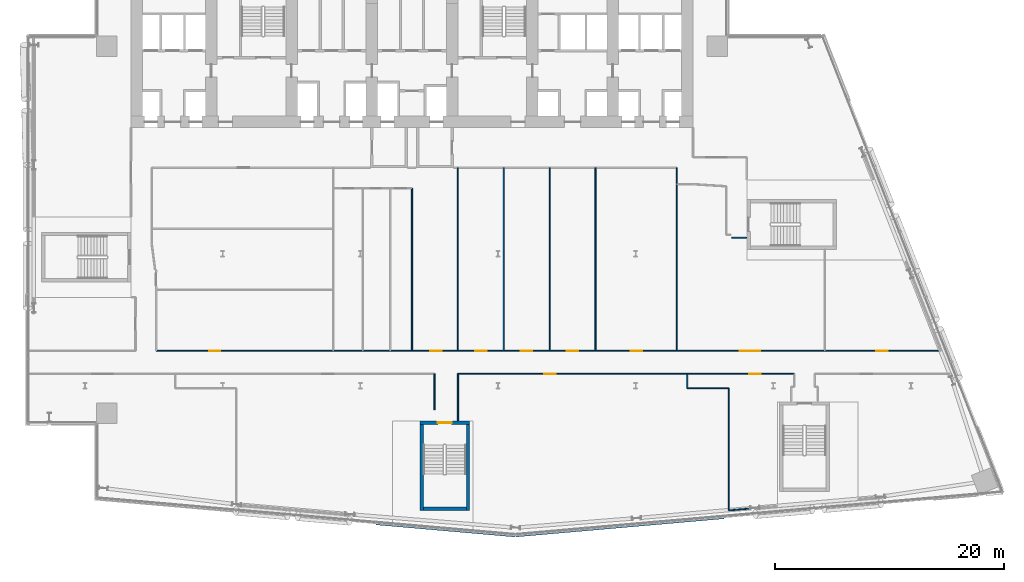
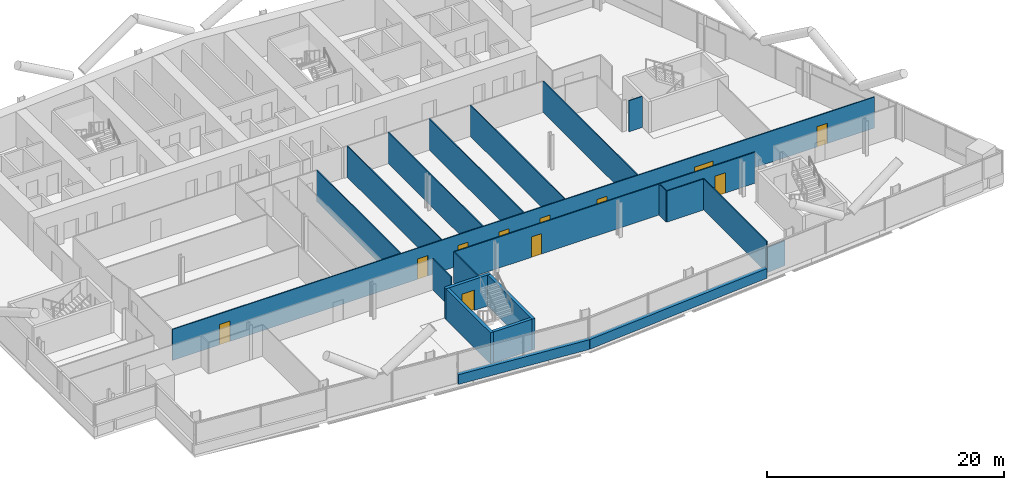
# One storey, part 15 of 27: 21 walls, 11 doors, 11 openings.
"""IFC4 building model written with IfcOpenShell, lengths in metres."""

from ifc_helpers import new_model, si_unit, direction, frame, frame_2d, origin, place, context, subcontext, project, spatial, rectangle, extrude, material, layer, layer_set, type_object, element, fill, save


model = new_model("IFC4")

# Units and contexts
model_context = context("Model", 3, precision=1e-05, world=origin(), true_north=direction((0.0, 1.0)))
body_context = subcontext(model_context, "Body", "Model", "MODEL_VIEW")
ifc_project = project(units=[si_unit("LENGTHUNIT", "METRE"), si_unit("AREAUNIT", "SQUARE_METRE"), si_unit("VOLUMEUNIT", "CUBIC_METRE"), si_unit("PLANEANGLEUNIT", "RADIAN"), si_unit("MASSUNIT", "GRAM", prefix="KILO")], contexts=[model_context])

# Site, building, storey
site_placement = place(None, origin())
site = spatial("IfcSite", under=ifc_project, at=site_placement, CompositionType="ELEMENT")
building_placement = place(site_placement, origin())
building = spatial("IfcBuilding", under=site, at=building_placement, Name="Wharfspan Tower", CompositionType="ELEMENT")
storey_placement = place(building_placement, frame((0.0, 0.0, 139.899902)))
storey = spatial("IfcBuildingStorey", under=building, at=storey_placement, Name="L33", CompositionType="ELEMENT", Elevation=139.899902)

# Wall, openings, doors
ifc_material_1 = material(Name="Gypsum board on steel studs", Category="steel")
ifc_layer_1 = layer(ifc_material_1, 0.100098)
ifc_layer_set_1 = layer_set([ifc_layer_1], Name="Gypsum board on steel studs")
wall_type_1 = type_object("IfcWallType", Name="Compartment wall 100 EI 60", PredefinedType="PARTITIONING", material=ifc_layer_set_1)
wall_1_placement = place(storey_placement, frame((18.199951, 14.530029, 0.0), z_axis=(0.0, 0.0, 1.0), x_axis=(1.0, 0.0, 0.0)))
wall_1 = element("IfcWall", 1, at=wall_1_placement, inside=storey, type_object=wall_type_1, Name="Partition L33.w013", PredefinedType="PARTITIONING", context=body_context, shape_type="SweptSolid", body=[
    extrude(rectangle(XDim=68.410156, YDim=0.100098, at=frame_2d((34.205078, 0.0))), origin(), (0.0, 0.0, 1.0), 3.200195),
])
opening_1_placement = place(wall_1_placement, frame((4.60498, 0.0, 0.0)))
opening_1 = element("IfcOpeningElement", 2, at=opening_1_placement, cuts=wall_1, Name="Opening B6-06", PredefinedType="OPENING", context=body_context, shape_type="SweptSolid", body=[
    extrude(rectangle(XDim=1.0, YDim=2.100098, at=frame_2d((0.5, 1.050049))), frame((0.0, 0.060059, 0.0), z_axis=(0.0, -1.0, 0.0), x_axis=(1.0, 0.0, 0.0)), (0.0, 0.0, 1.0), 0.120117),
])
opening_2_placement = place(wall_1_placement, frame((23.879883, 0.0, 0.0)))
opening_2 = element("IfcOpeningElement", 3, at=opening_2_placement, cuts=wall_1, Name="Opening B6-07", PredefinedType="OPENING", context=body_context, shape_type="SweptSolid", body=[
    extrude(rectangle(XDim=1.0, YDim=2.100098, at=frame_2d((0.5, 1.050049))), frame((0.0, 0.060059, 0.0), z_axis=(0.0, -1.0, 0.0), x_axis=(1.0, 0.0, 0.0)), (0.0, 0.0, 1.0), 0.120117),
])
opening_3_placement = place(wall_1_placement, frame((27.800049, 0.0, 0.0)))
opening_3 = element("IfcOpeningElement", 4, at=opening_3_placement, cuts=wall_1, Name="Opening B6-08", PredefinedType="OPENING", context=body_context, shape_type="SweptSolid", body=[
    extrude(rectangle(XDim=1.0, YDim=2.100098, at=frame_2d((0.5, 1.050049))), frame((0.0, 0.060059, 0.0), z_axis=(0.0, -1.0, 0.0), x_axis=(1.0, 0.0, 0.0)), (0.0, 0.0, 1.0), 0.120117),
])
opening_4_placement = place(wall_1_placement, frame((31.800049, 0.0, 0.0)))
opening_4 = element("IfcOpeningElement", 5, at=opening_4_placement, cuts=wall_1, Name="Opening B6-09", PredefinedType="OPENING", context=body_context, shape_type="SweptSolid", body=[
    extrude(rectangle(XDim=1.0, YDim=2.100098, at=frame_2d((0.5, 1.050049))), frame((0.0, 0.060059, 0.0), z_axis=(0.0, -1.0, 0.0), x_axis=(1.0, 0.0, 0.0)), (0.0, 0.0, 1.0), 0.120117),
])
opening_5_placement = place(wall_1_placement, frame((35.800049, 0.0, 0.0)))
opening_5 = element("IfcOpeningElement", 6, at=opening_5_placement, cuts=wall_1, Name="Opening B6-10", PredefinedType="OPENING", context=body_context, shape_type="SweptSolid", body=[
    extrude(rectangle(XDim=1.0, YDim=2.100098, at=frame_2d((0.5, 1.050049))), frame((0.0, 0.060059, 0.0), z_axis=(0.0, -1.0, 0.0), x_axis=(1.0, 0.0, 0.0)), (0.0, 0.0, 1.0), 0.120117),
])
opening_6_placement = place(wall_1_placement, frame((41.35498, 0.0, 0.0)))
opening_6 = element("IfcOpeningElement", 7, at=opening_6_placement, cuts=wall_1, Name="Opening B6-11", PredefinedType="OPENING", context=body_context, shape_type="SweptSolid", body=[
    extrude(rectangle(XDim=1.0, YDim=2.100098, at=frame_2d((0.5, 1.050049))), frame((0.0, 0.060059, 0.0), z_axis=(0.0, -1.0, 0.0), x_axis=(1.0, 0.0, 0.0)), (0.0, 0.0, 1.0), 0.120117),
])
opening_7_placement = place(wall_1_placement, frame((50.879883, 0.0, 0.0)))
opening_7 = element("IfcOpeningElement", 8, at=opening_7_placement, cuts=wall_1, Name="Opening B6-12", PredefinedType="OPENING", context=body_context, shape_type="SweptSolid", body=[
    extrude(rectangle(XDim=1.800049, YDim=2.100098, at=frame_2d((0.899902, 1.050049))), frame((0.0, 0.060059, 0.0), z_axis=(0.0, -1.0, 0.0), x_axis=(1.0, 0.0, 0.0)), (0.0, 0.0, 1.0), 0.120117),
])
opening_8_placement = place(wall_1_placement, frame((62.795898, 0.0, 0.0)))
opening_8 = element("IfcOpeningElement", 9, at=opening_8_placement, cuts=wall_1, Name="Opening B6-13", PredefinedType="OPENING", context=body_context, shape_type="SweptSolid", body=[
    extrude(rectangle(XDim=1.0, YDim=2.100098, at=frame_2d((0.5, 1.050049))), frame((0.0, 0.060059, 0.0), z_axis=(0.0, -1.0, 0.0), x_axis=(1.0, 0.0, 0.0)), (0.0, 0.0, 1.0), 0.120117),
])
ifc_material_2 = material(Name="Fire-rated timber door leaf in steel frame", Category="steel")
door_type_1 = type_object("IfcDoorType", Name="Door 1000 FD30S Left", OperationType="SINGLE_SWING_LEFT", PredefinedType="DOOR", material=ifc_material_2)
door_1_placement = place(opening_1_placement, origin())
door_1 = element("IfcDoor", 10, at=door_1_placement, inside=storey, type_object=door_type_1, Name="Door B6-06", OperationType="SINGLE_SWING_LEFT", OverallHeight=2.100098, OverallWidth=1.0, PredefinedType="DOOR", context=body_context, shape_type="SweptSolid", body=[
    extrude(rectangle(XDim=1.0, YDim=2.100098, at=frame_2d((0.5, 1.050049))), frame((0.0, 0.024902, 0.0), z_axis=(0.0, -1.0, 0.0), x_axis=(1.0, 0.0, 0.0)), (0.0, 0.0, 1.0), 0.050049),
])
fill(opening_1, door_1)
door_2_placement = place(opening_2_placement, origin())
door_2 = element("IfcDoor", 11, at=door_2_placement, inside=storey, type_object=door_type_1, Name="Door B6-07", OperationType="SINGLE_SWING_LEFT", OverallHeight=2.100098, OverallWidth=1.0, PredefinedType="DOOR", context=body_context, shape_type="SweptSolid", body=[
    extrude(rectangle(XDim=1.0, YDim=2.100098, at=frame_2d((0.5, 1.050049))), frame((0.0, 0.024902, 0.0), z_axis=(0.0, -1.0, 0.0), x_axis=(1.0, 0.0, 0.0)), (0.0, 0.0, 1.0), 0.050049),
])
fill(opening_2, door_2)
door_3_placement = place(opening_3_placement, origin())
door_3 = element("IfcDoor", 12, at=door_3_placement, inside=storey, type_object=door_type_1, Name="Door B6-08", OperationType="SINGLE_SWING_LEFT", OverallHeight=2.100098, OverallWidth=1.0, PredefinedType="DOOR", context=body_context, shape_type="SweptSolid", body=[
    extrude(rectangle(XDim=1.0, YDim=2.100098, at=frame_2d((0.5, 1.050049))), frame((0.0, 0.024902, 0.0), z_axis=(0.0, -1.0, 0.0), x_axis=(1.0, 0.0, 0.0)), (0.0, 0.0, 1.0), 0.050049),
])
fill(opening_3, door_3)
door_4_placement = place(opening_4_placement, origin())
door_4 = element("IfcDoor", 13, at=door_4_placement, inside=storey, type_object=door_type_1, Name="Door B6-09", OperationType="SINGLE_SWING_LEFT", OverallHeight=2.100098, OverallWidth=1.0, PredefinedType="DOOR", context=body_context, shape_type="SweptSolid", body=[
    extrude(rectangle(XDim=1.0, YDim=2.100098, at=frame_2d((0.5, 1.050049))), frame((0.0, 0.024902, 0.0), z_axis=(0.0, -1.0, 0.0), x_axis=(1.0, 0.0, 0.0)), (0.0, 0.0, 1.0), 0.050049),
])
fill(opening_4, door_4)
door_type_2 = type_object("IfcDoorType", Name="Door 1000 FD30S Right", OperationType="SINGLE_SWING_RIGHT", PredefinedType="DOOR", material=ifc_material_2)
door_5_placement = place(opening_5_placement, origin())
door_5 = element("IfcDoor", 14, at=door_5_placement, inside=storey, type_object=door_type_2, Name="Door B6-10", OperationType="SINGLE_SWING_RIGHT", OverallHeight=2.100098, OverallWidth=1.0, PredefinedType="DOOR", context=body_context, shape_type="SweptSolid", body=[
    extrude(rectangle(XDim=1.0, YDim=2.100098, at=frame_2d((0.5, 1.050049))), frame((0.0, 0.024902, 0.0), z_axis=(0.0, -1.0, 0.0), x_axis=(1.0, 0.0, 0.0)), (0.0, 0.0, 1.0), 0.050049),
])
fill(opening_5, door_5)
door_6_placement = place(opening_6_placement, origin())
door_6 = element("IfcDoor", 15, at=door_6_placement, inside=storey, type_object=door_type_2, Name="Door B6-11", OperationType="SINGLE_SWING_RIGHT", OverallHeight=2.100098, OverallWidth=1.0, PredefinedType="DOOR", context=body_context, shape_type="SweptSolid", body=[
    extrude(rectangle(XDim=1.0, YDim=2.100098, at=frame_2d((0.5, 1.050049))), frame((0.0, 0.024902, 0.0), z_axis=(0.0, -1.0, 0.0), x_axis=(1.0, 0.0, 0.0)), (0.0, 0.0, 1.0), 0.050049),
])
fill(opening_6, door_6)
door_7_placement = place(opening_8_placement, origin())
door_7 = element("IfcDoor", 16, at=door_7_placement, inside=storey, type_object=door_type_2, Name="Door B6-13", OperationType="SINGLE_SWING_RIGHT", OverallHeight=2.100098, OverallWidth=1.0, PredefinedType="DOOR", context=body_context, shape_type="SweptSolid", body=[
    extrude(rectangle(XDim=1.0, YDim=2.100098, at=frame_2d((0.5, 1.050049))), frame((0.0, 0.024902, 0.0), z_axis=(0.0, -1.0, 0.0), x_axis=(1.0, 0.0, 0.0)), (0.0, 0.0, 1.0), 0.050049),
])
fill(opening_8, door_7)
door_type_3 = type_object("IfcDoorType", Name="Door 1800 FD30S Double", OperationType="DOUBLE_DOOR_SINGLE_SWING", PredefinedType="DOOR", material=ifc_material_2)
door_8_placement = place(opening_7_placement, origin())
door_8 = element("IfcDoor", 17, at=door_8_placement, inside=storey, type_object=door_type_3, Name="Door B6-12", OperationType="DOUBLE_DOOR_SINGLE_SWING", OverallHeight=2.100098, OverallWidth=1.800049, PredefinedType="DOOR", context=body_context, shape_type="SweptSolid", body=[
    extrude(rectangle(XDim=1.800049, YDim=2.100098, at=frame_2d((0.899902, 1.050049))), frame((0.0, 0.024902, 0.0), z_axis=(0.0, -1.0, 0.0), x_axis=(1.0, 0.0, 0.0)), (0.0, 0.0, 1.0), 0.050049),
])
fill(opening_7, door_8)

# Walls
wall_2_placement = place(storey_placement, frame((40.5, 14.530029, 0.0), z_axis=(0.0, 0.0, 1.0), x_axis=(0.0, 1.0, 0.0)))
element("IfcWall", 18, at=wall_2_placement, inside=storey, type_object=wall_type_1, Name="Partition L33.w025", PredefinedType="PARTITIONING", context=body_context, shape_type="SweptSolid", body=[
    extrude(rectangle(XDim=14.169922, YDim=0.100098, at=frame_2d((7.084961, 0.0))), origin(), (0.0, 0.0, 1.0), 3.200195),
])
wall_3_placement = place(storey_placement, frame((42.459961, 9.416992, 0.0), z_axis=(0.0, 0.0, 1.0), x_axis=(0.0, 1.0, 0.0)))
element("IfcWall", 19, at=wall_3_placement, inside=storey, type_object=wall_type_1, Name="Partition L33.w026", PredefinedType="PARTITIONING", context=body_context, shape_type="SweptSolid", body=[
    extrude(rectangle(XDim=3.113037, YDim=0.100098, at=frame_2d((1.556641, 0.0))), origin(), (0.0, 0.0, 1.0), 3.200195),
])
wall_4_placement = place(storey_placement, frame((44.5, 14.530029, 0.0), z_axis=(0.0, 0.0, 1.0), x_axis=(0.0, 1.0, 0.0)))
element("IfcWall", 20, at=wall_4_placement, inside=storey, type_object=wall_type_1, Name="Partition L33.w027", PredefinedType="PARTITIONING", context=body_context, shape_type="SweptSolid", body=[
    extrude(rectangle(XDim=15.969971, YDim=0.100098, at=frame_2d((7.984863, 0.0))), origin(), (0.0, 0.0, 1.0), 3.200195),
])
wall_5_placement = place(storey_placement, frame((44.51001, 8.437012, 0.0), z_axis=(0.0, 0.0, 1.0), x_axis=(0.0, 1.0, 0.0)))
element("IfcWall", 21, at=wall_5_placement, inside=storey, type_object=wall_type_1, Name="Partition L33.w028", PredefinedType="PARTITIONING", context=body_context, shape_type="SweptSolid", body=[
    extrude(rectangle(XDim=4.087891, YDim=0.100098, at=frame_2d((2.043945, 0.0))), origin(), (0.0, 0.0, 1.0), 3.200195),
])

# Wall, openings, doors
wall_6_placement = place(storey_placement, frame((44.51001, 12.524902, 0.0), z_axis=(0.0, 0.0, 1.0), x_axis=(1.0, 0.00025, 0.0)))
wall_6 = element("IfcWall", 22, at=wall_6_placement, inside=storey, type_object=wall_type_1, Name="Partition L33.w029", PredefinedType="PARTITIONING", context=body_context, shape_type="SweptSolid", body=[
    extrude(rectangle(XDim=29.296875, YDim=0.100098, at=frame_2d((14.648438, 0.0))), origin(), (0.0, 0.0, 1.0), 3.200195),
])
opening_9_placement = place(wall_6_placement, frame((7.510254, 0.0, 0.0)))
opening_9 = element("IfcOpeningElement", 23, at=opening_9_placement, cuts=wall_6, Name="Opening B6-01", PredefinedType="OPENING", context=body_context, shape_type="SweptSolid", body=[
    extrude(rectangle(XDim=1.0, YDim=2.100098, at=frame_2d((0.5, 1.050049))), frame((0.0, 0.060059, 0.0), z_axis=(0.0, -1.0, 0.0), x_axis=(1.0, 0.0, 0.0)), (0.0, 0.0, 1.0), 0.120117),
])
opening_10_placement = place(wall_6_placement, frame((25.409912, 0.0, 0.0)))
opening_10 = element("IfcOpeningElement", 24, at=opening_10_placement, cuts=wall_6, Name="Opening B6-04", PredefinedType="OPENING", context=body_context, shape_type="SweptSolid", body=[
    extrude(rectangle(XDim=1.0, YDim=2.100098, at=frame_2d((0.5, 1.050049))), frame((0.0, 0.060059, 0.0), z_axis=(0.0, -1.0, 0.0), x_axis=(1.0, 0.0, 0.0)), (0.0, 0.0, 1.0), 0.120117),
])
door_9_placement = place(opening_9_placement, origin())
door_9 = element("IfcDoor", 25, at=door_9_placement, inside=storey, type_object=door_type_1, Name="Door B6-01", OperationType="SINGLE_SWING_LEFT", OverallHeight=2.100098, OverallWidth=1.0, PredefinedType="DOOR", context=body_context, shape_type="SweptSolid", body=[
    extrude(rectangle(XDim=1.0, YDim=2.100098, at=frame_2d((0.5, 1.050049))), frame((0.0, 0.024902, 0.0), z_axis=(0.0, -1.0, 0.0), x_axis=(1.0, 0.0, 0.0)), (0.0, 0.0, 1.0), 0.050049),
])
fill(opening_9, door_9)
door_10_placement = place(opening_10_placement, origin())
door_10 = element("IfcDoor", 26, at=door_10_placement, inside=storey, type_object=door_type_2, Name="Door B6-04", OperationType="SINGLE_SWING_RIGHT", OverallHeight=2.100098, OverallWidth=1.0, PredefinedType="DOOR", context=body_context, shape_type="SweptSolid", body=[
    extrude(rectangle(XDim=1.0, YDim=2.100098, at=frame_2d((0.5, 1.050049))), frame((0.0, 0.024902, 0.0), z_axis=(0.0, -1.0, 0.0), x_axis=(1.0, 0.0, 0.0)), (0.0, 0.0, 1.0), 0.050049),
])
fill(opening_10, door_10)

# Walls
for number, where, z_axis, x_axis, name in (
    (27, (48.5, 14.530029, 0.0), (0.0, 0.0, 1.0), (0.0, 1.0, 0.0), "Partition L33.w030"),
    (28, (52.5, 14.530029, 0.0), (0.0, 0.0, 1.0), (0.0, 1.0, 0.0), "Partition L33.w031"),
    (29, (56.5, 14.530029, 0.0), (0.0, 0.0, 1.0), (0.0, 1.0, 0.0), "Partition L33.w032"),
    (30, (63.574951, 14.530029, 0.0), (0.0, 0.0, 1.0), (0.0, 1.0, 0.0), "Partition L33.w033"),
):
    element("IfcWall", number, at=place(storey_placement, frame(where, z_axis=z_axis, x_axis=x_axis)), inside=storey, type_object=wall_type_1, Name=name, PredefinedType="PARTITIONING", context=body_context, shape_type="SweptSolid", body=[
        extrude(rectangle(XDim=15.969971, YDim=0.100098, at=frame_2d((7.984863, 0.0))), origin(), (0.0, 0.0, 1.0), 3.200195),
    ])
wall_7_placement = place(storey_placement, frame((64.5, 11.290039, 0.0), z_axis=(0.0, 0.0, 1.0), x_axis=(0.0, 1.0, 0.0)))
element("IfcWall", 31, at=wall_7_placement, inside=storey, type_object=wall_type_1, Name="Partition L33.w035", PredefinedType="PARTITIONING", context=body_context, shape_type="SweptSolid", body=[
    extrude(rectangle(XDim=1.23999, YDim=0.100098, at=frame_2d((0.620117, 0.0))), origin(), (0.0, 0.0, 1.0), 3.200195),
])
wall_8_placement = place(storey_placement, frame((68.389893, 24.399902, 0.0), z_axis=(0.0, 0.0, 1.0), x_axis=(1.0, 0.0, 0.0)))
element("IfcWall", 32, at=wall_8_placement, inside=storey, type_object=wall_type_1, Name="Partition L33.w044", PredefinedType="PARTITIONING", context=body_context, shape_type="SweptSolid", body=[
    extrude(rectangle(XDim=1.280518, YDim=0.100098, at=frame_2d((0.640137, 0.0))), origin(), (0.0, 0.0, 1.0), 3.200195),
])
ifc_layer_2 = layer(ifc_material_1, 0.100098)
ifc_layer_set_2 = layer_set([ifc_layer_2], Name="Gypsum board on steel studs")
wall_type_2 = type_object("IfcWallType", Name="Partition 100", PredefinedType="PARTITIONING", material=ifc_layer_set_2)
wall_9_placement = place(storey_placement, frame((64.5, 11.290039, 0.0), z_axis=(0.0, 0.0, 1.0), x_axis=(1.0, 0.0, 0.0)))
element("IfcWall", 33, at=wall_9_placement, inside=storey, type_object=wall_type_2, Name="Partition L33.w036", PredefinedType="PARTITIONING", context=body_context, shape_type="SweptSolid", body=[
    extrude(rectangle(XDim=3.625, YDim=0.100098, at=frame_2d((1.8125, 0.0))), origin(), (0.0, 0.0, 1.0), 3.200195),
])
wall_10_placement = place(storey_placement, frame((68.125, 0.625, 0.0), z_axis=(0.0, 0.0, 1.0), x_axis=(0.0, 1.0, 0.0)))
element("IfcWall", 34, at=wall_10_placement, inside=storey, type_object=wall_type_2, Name="Partition L33.w042", PredefinedType="PARTITIONING", context=body_context, shape_type="SweptSolid", body=[
    extrude(rectangle(XDim=10.665039, YDim=0.100098, at=frame_2d((5.33252, 0.0))), origin(), (0.0, 0.0, 1.0), 3.200195),
])
wall_11_placement = place(storey_placement, frame((68.125, 0.625, 0.0), z_axis=(0.0, 0.0, 1.0), x_axis=(0.996253, 0.08653, 0.0)))
element("IfcWall", 35, at=wall_11_placement, inside=storey, type_object=wall_type_2, Name="Partition L33.w043", PredefinedType="PARTITIONING", context=body_context, shape_type="SweptSolid", body=[
    extrude(rectangle(XDim=1.791748, YDim=0.100098, at=frame_2d((0.895996, 0.0))), origin(), (0.0, 0.0, 1.0), 2.580078),
])
ifc_material_3 = material(Name="Concrete C40/50", Category="concrete")
ifc_layer_3 = layer(ifc_material_3, 0.350098)
ifc_layer_set_3 = layer_set([ifc_layer_3], Name="Concrete C40/50")
wall_type_3 = type_object("IfcWallType", Name="SPANDREL EXPOSED CONCRETE 350", PredefinedType="SOLIDWALL", material=ifc_layer_set_3)
wall_12_placement = place(storey_placement, frame((37.362793, -0.461426, 0.0), z_axis=(0.0, 0.0, 1.0), x_axis=(0.996194, -0.087159, 0.0)))
element("IfcWall", 36, at=wall_12_placement, inside=storey, type_object=wall_type_3, Name="Spandrel upstand L33 S1 2", PredefinedType="SOLIDWALL", context=body_context, shape_type="SweptSolid", body=[
    extrude(rectangle(XDim=12.19873, YDim=0.350098, at=frame_2d((6.099365, 0.0))), origin(), (0.0, 0.0, 1.0), 1.0),
])
wall_13_placement = place(storey_placement, frame((49.54541, -1.519287, 0.0), z_axis=(0.0, 0.0, 1.0), x_axis=(0.996191, 0.087151, 0.0)))
element("IfcWall", 37, at=wall_13_placement, inside=storey, type_object=wall_type_3, Name="Spandrel upstand L33 S2 1", PredefinedType="SOLIDWALL", context=body_context, shape_type="SweptSolid", body=[
    extrude(rectangle(XDim=18.20874, YDim=0.350098, at=frame_2d((9.104492, 0.0))), origin(), (0.0, 0.0, 1.0), 1.0),
])

# Wall, opening, door
ifc_layer_4 = layer(ifc_material_3, 0.300049)
ifc_layer_set_4 = layer_set([ifc_layer_4], Name="Concrete C40/50")
wall_type_4 = type_object("IfcWallType", Name="Stair core wall 300", PredefinedType="SHEAR", material=ifc_layer_set_4)
wall_14_placement = place(storey_placement, frame((41.185303, 8.26709, 0.0), z_axis=(0.0, 0.0, 1.0), x_axis=(1.0, 0.0, 0.0)))
wall_14 = element("IfcWall", 38, at=wall_14_placement, inside=storey, type_object=wall_type_4, Name="ST4 stair enclosure wall L33", PredefinedType="SHEAR", context=body_context, shape_type="SweptSolid", body=[
    extrude(rectangle(XDim=4.350098, YDim=0.300049, at=frame_2d((2.175049, 0.0))), origin(), (0.0, 0.0, 1.0), 3.200195),
])
opening_11_placement = place(wall_14_placement, frame((1.574951, 0.0, 0.0)))
opening_11 = element("IfcOpeningElement", 39, at=opening_11_placement, cuts=wall_14, Name="Opening SD4.L33", PredefinedType="OPENING", context=body_context, shape_type="SweptSolid", body=[
    extrude(rectangle(XDim=1.199951, YDim=2.100098, at=frame_2d((0.600098, 1.050049))), frame((0.0, 0.159912, 0.0), z_axis=(0.0, -1.0, 0.0), x_axis=(1.0, 0.0, 0.0)), (0.0, 0.0, 1.0), 0.320068),
])
ifc_material_4 = material(Name="Steel door leaf", Category="steel")
door_type_4 = type_object("IfcDoorType", Name="Stair door 1200x2100", OperationType="SINGLE_SWING_LEFT", PredefinedType="DOOR", material=ifc_material_4)
door_11_placement = place(opening_11_placement, origin())
door_11 = element("IfcDoor", 40, at=door_11_placement, inside=storey, type_object=door_type_4, Name="sd:L33:ST4z2", OperationType="SINGLE_SWING_RIGHT", OverallHeight=2.100098, OverallWidth=1.199951, PredefinedType="DOOR", context=body_context, shape_type="SweptSolid", body=[
    extrude(rectangle(XDim=1.199951, YDim=2.100098, at=frame_2d((0.600098, 1.050049))), frame((0.0, 0.024902, 0.0), z_axis=(0.0, -1.0, 0.0), x_axis=(1.0, 0.0, 0.0)), (0.0, 0.0, 1.0), 0.050049),
])
fill(opening_11, door_11)

# Walls
for number, where, z_axis, x_axis, name in (
    (41, (41.335205, 0.616943, 0.0), (0.0, 0.0, 1.0), (0.0, 1.0, 0.0), "ST4 stair enclosure wall L33"),
    (42, (45.385254, 0.616943, 0.0), (0.0, 0.0, 1.0), (0.0, 1.0, 0.0), "ST4 stair enclosure wall L33"),
):
    element("IfcWall", number, at=place(storey_placement, frame(where, z_axis=z_axis, x_axis=x_axis)), inside=storey, type_object=wall_type_4, Name=name, PredefinedType="SHEAR", context=body_context, shape_type="SweptSolid", body=[
        extrude(rectangle(XDim=7.5, YDim=0.300049, at=frame_2d((3.75, 0.0))), origin(), (0.0, 0.0, 1.0), 3.200195),
    ])
wall_15_placement = place(storey_placement, frame((41.485352, 0.76709, 0.0), z_axis=(0.0, 0.0, 1.0), x_axis=(1.0, 0.0, 0.0)))
element("IfcWall", 43, at=wall_15_placement, inside=storey, type_object=wall_type_4, Name="ST4 stair enclosure wall L33", PredefinedType="SHEAR", context=body_context, shape_type="SweptSolid", body=[
    extrude(rectangle(XDim=3.75, YDim=0.300049, at=frame_2d((1.875, 0.0))), origin(), (0.0, 0.0, 1.0), 3.200195),
])

save(model, "model.ifc")
